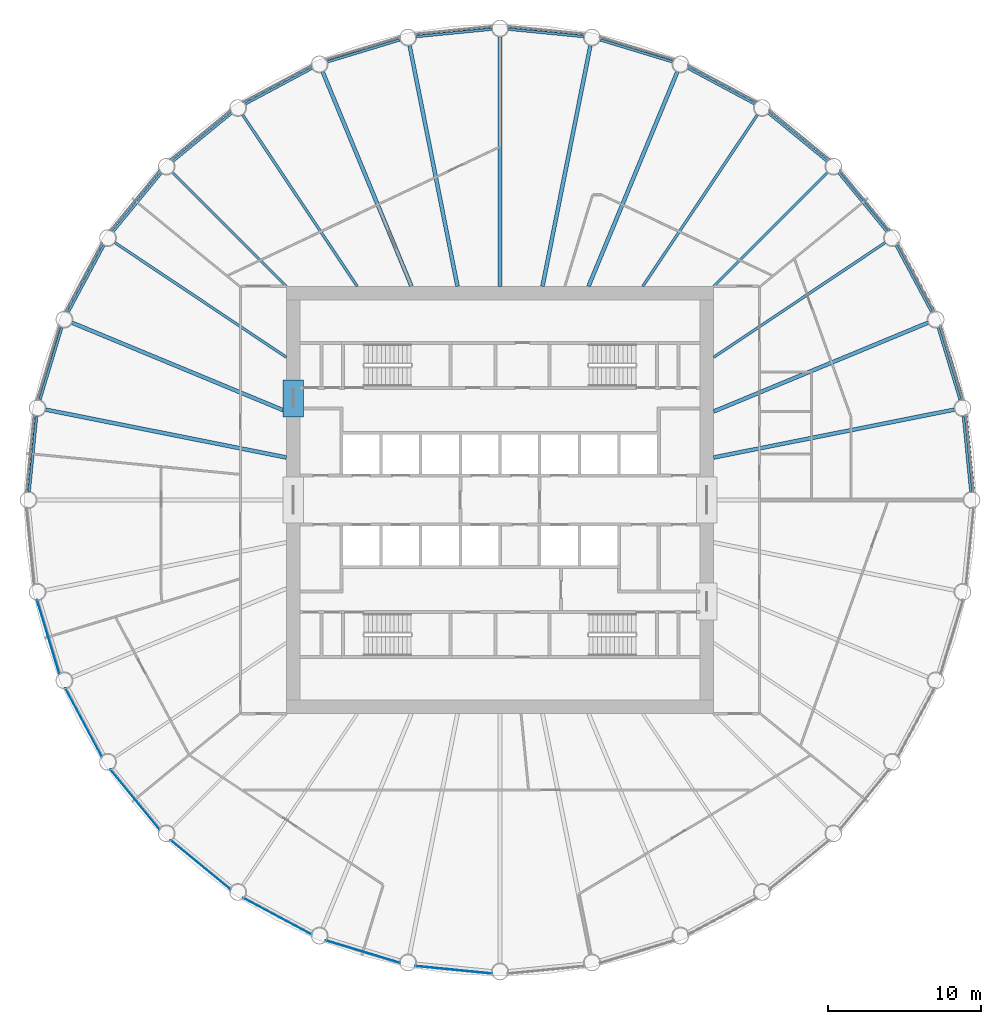
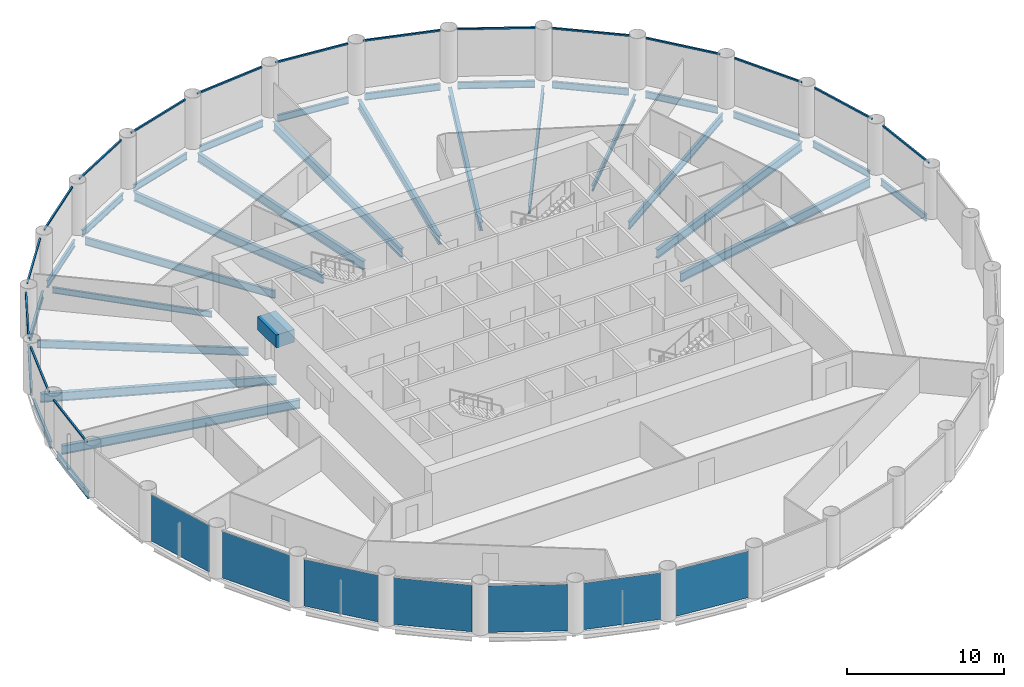
# One storey, part 2 of 8: 32 beams, 16 members, 7 plates, 23 elements without a shape of their own.
"""IFC4 building model written with IfcOpenShell, lengths in metres."""

from ifc_helpers import new_model, si_unit, direction, frame, origin, origin_2d, place, context, subcontext, project, spatial, rectangle, i_section, extrude, material, layer, layer_set, material_profile, profile_set, type_object, element, aggregate, save


model = new_model("IFC4")

# Units and contexts
model_context = context("Model", 3, precision=1e-05, world=origin(), true_north=direction((0.0, 1.0)))
body_context = subcontext(model_context, "Body", "Model", "MODEL_VIEW")
ifc_project = project(units=[si_unit("LENGTHUNIT", "METRE"), si_unit("AREAUNIT", "SQUARE_METRE"), si_unit("VOLUMEUNIT", "CUBIC_METRE"), si_unit("PLANEANGLEUNIT", "RADIAN"), si_unit("MASSUNIT", "GRAM", prefix="KILO")], contexts=[model_context])

# Site, building, storey
site_placement = place(None, origin())
site = spatial("IfcSite", under=ifc_project, at=site_placement, CompositionType="ELEMENT")
building_placement = place(site_placement, origin())
building = spatial("IfcBuilding", under=site, at=building_placement, Name="Corvane Civic Tower", CompositionType="ELEMENT")
storey_placement = place(building_placement, frame((0.0, 0.0, 152.0)))
storey = spatial("IfcBuildingStorey", under=building, at=storey_placement, Name="L35", CompositionType="ELEMENT", Elevation=152.0)

# Beams
ifc_material_1 = material(Name="Concrete C60/75", Category="concrete")
ifc_material_profile_1 = material_profile(ifc_material_1, rectangle(XDim=1.35009765625, YDim=1.0, at=origin_2d()), Name="COUPLING BEAM 1350X1000")
ifc_profile_set_1 = profile_set([ifc_material_profile_1], Name="Concrete C60/75")
beam_type_1 = type_object("IfcBeamType", Name="COUPLING BEAM COUPLING BEAM 1350X1000", PredefinedType="BEAM", material=ifc_profile_set_1)
beam_1_placement = place(storey_placement, frame((-13.550048828125, 5.449951171875, 2.60009765625), z_axis=(0.0, 1.0, 0.0), x_axis=(-1.0, 0.0, 0.0)))
element("IfcBeam", 1, at=beam_1_placement, inside=storey, type_object=beam_type_1, Name="BM-L35-cpl-CW-WN", PredefinedType="BEAM", context=body_context, shape_type="SweptSolid", body=[
    extrude(rectangle(XDim=1.35009765625, YDim=1.0, at=origin_2d()), origin(), (0.0, 0.0, 1.0), 2.400146484375),
])
ifc_material_2 = material(Name="Steel ASTM A992 Gr 50", Category="steel")
ifc_material_profile_2 = material_profile(ifc_material_2, i_section(OverallWidth=0.165771484375, OverallDepth=0.5283203125, WebThickness=0.009765625, FlangeThickness=0.013671875, at=origin_2d()), Name="W21X50")
ifc_profile_set_2 = profile_set([ifc_material_profile_2], Name="Steel ASTM A992 Gr 50")
beam_type_2 = type_object("IfcBeamType", Name="EDGE BEAM W21X50", PredefinedType="BEAM", material=ifc_profile_set_2)
beam_2_placement = place(storey_placement, frame((0.54736328125, 30.845947265625, -0.564208984375), z_axis=(0.995186236294, -0.09800181167, 0.0), x_axis=(0.09800181167, 0.995186236294, 0.0)))
element("IfcBeam", 2, at=beam_2_placement, inside=storey, type_object=beam_type_2, Name="BM-L35-E01", PredefinedType="BEAM", context=body_context, shape_type="SweptSolid", body=[
    extrude(i_section(OverallWidth=0.165771484375, OverallDepth=0.5283203125, WebThickness=0.009765625, FlangeThickness=0.013671875, at=origin_2d()), origin(), (0.0, 0.0, 1.0), 4.95751953125),
])
beam_3_placement = place(storey_placement, frame((6.5546875, 30.146484375, -0.564208984375), z_axis=(0.956944842086, -0.290269821381, 0.0), x_axis=(0.290269821381, 0.956944842086, 0.0)))
element("IfcBeam", 3, at=beam_3_placement, inside=storey, type_object=beam_type_2, Name="BM-L35-E02", PredefinedType="BEAM", context=body_context, shape_type="SweptSolid", body=[
    extrude(i_section(OverallWidth=0.165771484375, OverallDepth=0.5283203125, WebThickness=0.009765625, FlangeThickness=0.013671875, at=origin_2d()), origin(), (0.0, 0.0, 1.0), 4.957275390625),
])
for number, where, z_axis, x_axis, name in (
    (4, (12.31005859375, 28.28857421875, -0.564208984375), (0.881921784846, -0.471395763042, 0.0), (0.471395763042, 0.881921784846, 0.0), "BM-L35-E03"),
    (5, (17.59228515625, 25.343505859375, -0.564208984375), (0.77301516208, -0.634387546532, 0.0), (0.634387546532, 0.77301516208, 0.0), "BM-L35-E04"),
    (6, (22.198486328125, 21.424560546875, -0.564208984375), (0.634387546532, -0.77301516208, 0.0), (0.77301516208, 0.634387546532, 0.0), "BM-L35-E05"),
    (7, (25.95166015625, 16.68212890625, -0.564208984375), (0.471395763042, -0.881921784846, 0.0), (0.881921784846, 0.471395763042, 0.0), "BM-L35-E06"),
):
    element("IfcBeam", number, at=place(storey_placement, frame(where, z_axis=z_axis, x_axis=x_axis)), inside=storey, type_object=beam_type_2, Name=name, PredefinedType="BEAM", context=body_context, shape_type="SweptSolid", body=[
        extrude(i_section(OverallWidth=0.165771484375, OverallDepth=0.5283203125, WebThickness=0.009765625, FlangeThickness=0.013671875, at=origin_2d()), origin(), (0.0, 0.0, 1.0), 4.95751953125),
    ])
beam_4_placement = place(storey_placement, frame((28.70751953125, 11.298583984375, -0.564208984375), z_axis=(0.290269821381, -0.956944842086, 0.0), x_axis=(0.956944842086, 0.290269821381, 0.0)))
element("IfcBeam", 8, at=beam_4_placement, inside=storey, type_object=beam_type_2, Name="BM-L35-E07", PredefinedType="BEAM", context=body_context, shape_type="SweptSolid", body=[
    extrude(i_section(OverallWidth=0.165771484375, OverallDepth=0.5283203125, WebThickness=0.009765625, FlangeThickness=0.013671875, at=origin_2d()), origin(), (0.0, 0.0, 1.0), 4.957275390625),
])
for number, where, z_axis, x_axis, name in (
    (9, (30.360107421875, 5.48095703125, -0.564208984375), (0.09800181167, -0.995186236294, 0.0), (0.995186236294, 0.09800181167, 0.0), "BM-L35-E08"),
    (10, (-30.845947265625, 0.54736328125, -0.564208984375), (0.09800181167, 0.995186236294, 0.0), (-0.995186236294, 0.09800181167, 0.0), "BM-L35-E25"),
):
    element("IfcBeam", number, at=place(storey_placement, frame(where, z_axis=z_axis, x_axis=x_axis)), inside=storey, type_object=beam_type_2, Name=name, PredefinedType="BEAM", context=body_context, shape_type="SweptSolid", body=[
        extrude(i_section(OverallWidth=0.165771484375, OverallDepth=0.5283203125, WebThickness=0.009765625, FlangeThickness=0.013671875, at=origin_2d()), origin(), (0.0, 0.0, 1.0), 4.95751953125),
    ])
beam_5_placement = place(storey_placement, frame((-30.146484375, 6.5546875, -0.564208984375), z_axis=(0.290269821381, 0.956944842086, 0.0), x_axis=(-0.956944842086, 0.290269821381, 0.0)))
element("IfcBeam", 11, at=beam_5_placement, inside=storey, type_object=beam_type_2, Name="BM-L35-E26", PredefinedType="BEAM", context=body_context, shape_type="SweptSolid", body=[
    extrude(i_section(OverallWidth=0.165771484375, OverallDepth=0.5283203125, WebThickness=0.009765625, FlangeThickness=0.013671875, at=origin_2d()), origin(), (0.0, 0.0, 1.0), 4.957275390625),
])
for number, where, z_axis, x_axis, name in (
    (12, (-28.28857421875, 12.31005859375, -0.564208984375), (0.471395763042, 0.881921784846, 0.0), (-0.881921784846, 0.471395763042, 0.0), "BM-L35-E27"),
    (13, (-25.343505859375, 17.59228515625, -0.564208984375), (0.634387546532, 0.77301516208, 0.0), (-0.77301516208, 0.634387546532, 0.0), "BM-L35-E28"),
    (14, (-21.424560546875, 22.198486328125, -0.564208984375), (0.77301516208, 0.634387546532, 0.0), (-0.634387546532, 0.77301516208, 0.0), "BM-L35-E29"),
    (15, (-16.68212890625, 25.95166015625, -0.564208984375), (0.881921784846, 0.471395763042, 0.0), (-0.471395763042, 0.881921784846, 0.0), "BM-L35-E30"),
):
    element("IfcBeam", number, at=place(storey_placement, frame(where, z_axis=z_axis, x_axis=x_axis)), inside=storey, type_object=beam_type_2, Name=name, PredefinedType="BEAM", context=body_context, shape_type="SweptSolid", body=[
        extrude(i_section(OverallWidth=0.165771484375, OverallDepth=0.5283203125, WebThickness=0.009765625, FlangeThickness=0.013671875, at=origin_2d()), origin(), (0.0, 0.0, 1.0), 4.95751953125),
    ])
beam_6_placement = place(storey_placement, frame((-11.298583984375, 28.70751953125, -0.564208984375), z_axis=(0.956944842086, 0.290269821381, 0.0), x_axis=(-0.290269821381, 0.956944842086, 0.0)))
element("IfcBeam", 16, at=beam_6_placement, inside=storey, type_object=beam_type_2, Name="BM-L35-E31", PredefinedType="BEAM", context=body_context, shape_type="SweptSolid", body=[
    extrude(i_section(OverallWidth=0.165771484375, OverallDepth=0.5283203125, WebThickness=0.009765625, FlangeThickness=0.013671875, at=origin_2d()), origin(), (0.0, 0.0, 1.0), 4.957275390625),
])
beam_7_placement = place(storey_placement, frame((-5.48095703125, 30.360107421875, -0.564208984375), z_axis=(0.995186236294, 0.09800181167, 0.0), x_axis=(-0.09800181167, 0.995186236294, 0.0)))
element("IfcBeam", 17, at=beam_7_placement, inside=storey, type_object=beam_type_2, Name="BM-L35-E32", PredefinedType="BEAM", context=body_context, shape_type="SweptSolid", body=[
    extrude(i_section(OverallWidth=0.165771484375, OverallDepth=0.5283203125, WebThickness=0.009765625, FlangeThickness=0.013671875, at=origin_2d()), origin(), (0.0, 0.0, 1.0), 4.95751953125),
])
ifc_material_3 = material(Name="Steel ASTM A992 Gr 50", Category="steel")
ifc_material_profile_3 = material_profile(ifc_material_3, i_section(OverallWidth=0.15283203125, OverallDepth=0.45458984375, WebThickness=0.008056640625, FlangeThickness=0.013427734375, at=origin_2d()), Name="W18X40")
ifc_profile_set_3 = profile_set([ifc_material_profile_3], Name="Steel ASTM A992 Gr 50")
beam_type_3 = type_object("IfcBeamType", Name="FLOOR GIRDER W18X40", PredefinedType="BEAM", material=ifc_profile_set_3)
for number, where, z_axis, x_axis, name in (
    (18, (14.0, 14.0, -0.52734375), (0.707106781187, 0.707106781187, 0.0), (-0.707106781187, 0.707106781187, 0.0), "BM-L35-G05"),
    (19, (-14.0, 14.0, -0.52734375), (-0.707106781187, 0.707106781187, 0.0), (-0.707106781187, -0.707106781187, 0.0), "BM-L35-G29"),
):
    element("IfcBeam", number, at=place(storey_placement, frame(where, z_axis=z_axis, x_axis=x_axis)), inside=storey, type_object=beam_type_3, Name=name, PredefinedType="BEAM", context=body_context, shape_type="SweptSolid", body=[
        extrude(i_section(OverallWidth=0.15283203125, OverallDepth=0.45458984375, WebThickness=0.008056640625, FlangeThickness=0.013427734375, at=origin_2d()), origin(), (0.0, 0.0, 1.0), 10.551025390625),
    ])
ifc_material_4 = material(Name="Steel ASTM A992 Gr 50", Category="steel")
ifc_material_profile_4 = material_profile(ifc_material_4, i_section(OverallWidth=0.177978515625, OverallDepth=0.599365234375, WebThickness=0.010009765625, FlangeThickness=0.012939453125, at=origin_2d()), Name="W24X55")
ifc_profile_set_4 = profile_set([ifc_material_profile_4], Name="Steel ASTM A992 Gr 50")
beam_type_4 = type_object("IfcBeamType", Name="FLOOR GIRDER W24X55", PredefinedType="BEAM", material=ifc_profile_set_4)
for number, where, z_axis, x_axis, name in (
    (20, (9.3544921875, 14.0, -0.599609375), (0.555571323015, 0.83146888399, 0.0), (-0.83146888399, 0.555571323015, 0.0), "BM-L35-G04"),
    (21, (14.0, 9.3544921875, -0.599609375), (0.83146888399, 0.555571323015, 0.0), (-0.555571323015, 0.83146888399, 0.0), "BM-L35-G06"),
    (22, (-14.0, 9.3544921875, -0.599609375), (-0.83146888399, 0.555571323015, 0.0), (-0.555571323015, -0.83146888399, 0.0), "BM-L35-G28"),
    (23, (-9.3544921875, 14.0, -0.599609375), (-0.555571323015, 0.83146888399, 0.0), (-0.83146888399, -0.555571323015, 0.0), "BM-L35-G30"),
):
    element("IfcBeam", number, at=place(storey_placement, frame(where, z_axis=z_axis, x_axis=x_axis)), inside=storey, type_object=beam_type_4, Name=name, PredefinedType="BEAM", context=body_context, shape_type="SweptSolid", body=[
        extrude(i_section(OverallWidth=0.177978515625, OverallDepth=0.599365234375, WebThickness=0.010009765625, FlangeThickness=0.012939453125, at=origin_2d()), origin(), (0.0, 0.0, 1.0), 13.512451171875),
    ])
ifc_material_5 = material(Name="Steel ASTM A992 Gr 50", Category="steel")
ifc_material_profile_5 = material_profile(ifc_material_5, i_section(OverallWidth=0.25390625, OverallDepth=0.67822265625, WebThickness=0.01171875, FlangeThickness=0.016357421875, at=origin_2d()), Name="W27X84")
ifc_profile_set_5 = profile_set([ifc_material_profile_5], Name="Steel ASTM A992 Gr 50")
beam_type_5 = type_object("IfcBeamType", Name="FLOOR GIRDER W27X84", PredefinedType="BEAM", material=ifc_profile_set_5)
beam_8_placement = place(storey_placement, frame((0.0, 14.0, -0.63916015625), z_axis=(0.0, 1.0, 0.0), x_axis=(-1.0, 0.0, 0.0)))
element("IfcBeam", 24, at=beam_8_placement, inside=storey, type_object=beam_type_5, Name="BM-L35-G01", PredefinedType="BEAM", context=body_context, shape_type="SweptSolid", body=[
    extrude(i_section(OverallWidth=0.25390625, OverallDepth=0.67822265625, WebThickness=0.01171875, FlangeThickness=0.016357421875, at=origin_2d()), origin(), (0.0, 0.0, 1.0), 16.35009765625),
])
beam_9_placement = place(storey_placement, frame((2.78466796875, 14.0, -0.63916015625), z_axis=(0.195090912248, 0.980785162999, 0.0), x_axis=(-0.980785162999, 0.195090912248, 0.0)))
element("IfcBeam", 25, at=beam_9_placement, inside=storey, type_object=beam_type_5, Name="BM-L35-G02", PredefinedType="BEAM", context=body_context, shape_type="SweptSolid", body=[
    extrude(i_section(OverallWidth=0.25390625, OverallDepth=0.67822265625, WebThickness=0.01171875, FlangeThickness=0.016357421875, at=origin_2d()), origin(), (0.0, 0.0, 1.0), 16.07568359375),
])
for number, where, z_axis, x_axis, name in (
    (26, (5.799072265625, 14.0, -0.63916015625), (0.38268097323, 0.923880551114, 0.0), (-0.923880551114, 0.38268097323, 0.0), "BM-L35-G03"),
    (27, (14.0, 5.799072265625, -0.63916015625), (0.923880551114, 0.38268097323, 0.0), (-0.38268097323, 0.923880551114, 0.0), "BM-L35-G07"),
):
    element("IfcBeam", number, at=place(storey_placement, frame(where, z_axis=z_axis, x_axis=x_axis)), inside=storey, type_object=beam_type_5, Name=name, PredefinedType="BEAM", context=body_context, shape_type="SweptSolid", body=[
        extrude(i_section(OverallWidth=0.25390625, OverallDepth=0.67822265625, WebThickness=0.01171875, FlangeThickness=0.016357421875, at=origin_2d()), origin(), (0.0, 0.0, 1.0), 15.196533203125),
    ])
for number, where, z_axis, x_axis, name in (
    (28, (14.0, 2.78466796875, -0.63916015625), (0.980785162999, 0.195090912248, 0.0), (-0.195090912248, 0.980785162999, 0.0), "BM-L35-G08"),
    (29, (-14.0, 2.78466796875, -0.63916015625), (-0.980785162999, 0.195090912248, 0.0), (-0.195090912248, -0.980785162999, 0.0), "BM-L35-G26"),
):
    element("IfcBeam", number, at=place(storey_placement, frame(where, z_axis=z_axis, x_axis=x_axis)), inside=storey, type_object=beam_type_5, Name=name, PredefinedType="BEAM", context=body_context, shape_type="SweptSolid", body=[
        extrude(i_section(OverallWidth=0.25390625, OverallDepth=0.67822265625, WebThickness=0.01171875, FlangeThickness=0.016357421875, at=origin_2d()), origin(), (0.0, 0.0, 1.0), 16.07568359375),
    ])
for number, where, z_axis, x_axis, name in (
    (30, (-14.0, 5.799072265625, -0.63916015625), (-0.923880551114, 0.38268097323, 0.0), (-0.38268097323, -0.923880551114, 0.0), "BM-L35-G27"),
    (31, (-5.799072265625, 14.0, -0.63916015625), (-0.38268097323, 0.923880551114, 0.0), (-0.923880551114, -0.38268097323, 0.0), "BM-L35-G31"),
):
    element("IfcBeam", number, at=place(storey_placement, frame(where, z_axis=z_axis, x_axis=x_axis)), inside=storey, type_object=beam_type_5, Name=name, PredefinedType="BEAM", context=body_context, shape_type="SweptSolid", body=[
        extrude(i_section(OverallWidth=0.25390625, OverallDepth=0.67822265625, WebThickness=0.01171875, FlangeThickness=0.016357421875, at=origin_2d()), origin(), (0.0, 0.0, 1.0), 15.196533203125),
    ])
beam_10_placement = place(storey_placement, frame((-2.78466796875, 14.0, -0.63916015625), z_axis=(-0.195090912248, 0.980785162999, 0.0), x_axis=(-0.980785162999, -0.195090912248, 0.0)))
element("IfcBeam", 32, at=beam_10_placement, inside=storey, type_object=beam_type_5, Name="BM-L35-G32", PredefinedType="BEAM", context=body_context, shape_type="SweptSolid", body=[
    extrude(i_section(OverallWidth=0.25390625, OverallDepth=0.67822265625, WebThickness=0.01171875, FlangeThickness=0.016357421875, at=origin_2d()), origin(), (0.0, 0.0, 1.0), 16.07568359375),
])

# Curtain wall, member
ifc_material_6 = material(Name="Anodised aluminium bronze", Category="aluminium")
curtain_wall_type = type_object("IfcCurtainWallType", Name="TOWER CW-T2 STICK CURTAIN WALL", PredefinedType="NOTDEFINED", material=ifc_material_6)
curtain_wall_1_placement = place(storey_placement, origin())
curtain_wall_1 = element("IfcCurtainWall", 33, at=curtain_wall_1_placement, inside=storey, type_object=curtain_wall_type, Name="Curtain wall CW-T2 L35 bay 01", PredefinedType="NOTDEFINED")
ifc_material_7 = material(Name="Anodised aluminium bronze", Category="aluminium")
ifc_material_profile_6 = material_profile(ifc_material_7, rectangle(XDim=0.1201171875, YDim=0.1201171875, at=origin_2d()), Name="TOWER CW-T2 TRANSOM 120x120")
ifc_profile_set_6 = profile_set([ifc_material_profile_6], Name="Anodised aluminium bronze")
member_type = type_object("IfcMemberType", Name="TOWER CW-T2 TRANSOM 120x120", PredefinedType="USERDEFINED", material=ifc_profile_set_6)
member_1_placement = place(storey_placement, frame((0.505126953125, 31.0302734375, 3.68994140625), z_axis=(0.995187423416, -0.097989755963, 0.0), x_axis=(0.097989755963, 0.995187423416, 0.0)))
member_1 = element("IfcMember", 34, at=member_1_placement, type_object=member_type, Name="Transom CW-T2 L35 01.1", ObjectType="TRANSOM", PredefinedType="USERDEFINED", context=body_context, shape_type="SweptSolid", body=[
    extrude(rectangle(XDim=0.1201171875, YDim=0.1201171875, at=origin_2d()), origin(), (0.0, 0.0, 1.0), 5.07763671875),
])
aggregate(curtain_wall_1, [member_1])

curtain_wall_2_placement = place(storey_placement, origin())
curtain_wall_2 = element("IfcCurtainWall", 35, at=curtain_wall_2_placement, inside=storey, type_object=curtain_wall_type, Name="Curtain wall CW-T2 L35 bay 02", PredefinedType="NOTDEFINED")
member_2_placement = place(storey_placement, frame((6.54931640625, 30.33544921875, 3.68994140625), z_axis=(0.956939031389, -0.290288977061, 0.0), x_axis=(0.290288977061, 0.956939031389, 0.0)))
member_2 = element("IfcMember", 36, at=member_2_placement, type_object=member_type, Name="Transom CW-T2 L35 02.1", ObjectType="TRANSOM", PredefinedType="USERDEFINED", context=body_context, shape_type="SweptSolid", body=[
    extrude(rectangle(XDim=0.1201171875, YDim=0.1201171875, at=origin_2d()), origin(), (0.0, 0.0, 1.0), 5.077392578125),
])
aggregate(curtain_wall_2, [member_2])

curtain_wall_3_placement = place(storey_placement, origin())
curtain_wall_3 = element("IfcCurtainWall", 37, at=curtain_wall_3_placement, inside=storey, type_object=curtain_wall_type, Name="Curtain wall CW-T2 L35 bay 03", PredefinedType="NOTDEFINED")
member_3_placement = place(storey_placement, frame((12.341552734375, 28.474853515625, 3.68994140625), z_axis=(0.881921329426, -0.471396615074, 0.0), x_axis=(0.471396615074, 0.881921329426, 0.0)))
member_3 = element("IfcMember", 38, at=member_3_placement, type_object=member_type, Name="Transom CW-T2 L35 03.1", ObjectType="TRANSOM", PredefinedType="USERDEFINED", context=body_context, shape_type="SweptSolid", body=[
    extrude(rectangle(XDim=0.1201171875, YDim=0.1201171875, at=origin_2d()), origin(), (0.0, 0.0, 1.0), 5.07763671875),
])
aggregate(curtain_wall_3, [member_3])

curtain_wall_4_placement = place(storey_placement, origin())
curtain_wall_4 = element("IfcCurtainWall", 39, at=curtain_wall_4_placement, inside=storey, type_object=curtain_wall_type, Name="Curtain wall CW-T2 L35 bay 04", PredefinedType="NOTDEFINED")
member_4_placement = place(storey_placement, frame((17.65966796875, 25.519775390625, 3.68994140625), z_axis=(0.773015929719, -0.634386611146, 0.0), x_axis=(0.634386611146, 0.773015929719, 0.0)))
member_4 = element("IfcMember", 40, at=member_4_placement, type_object=member_type, Name="Transom CW-T2 L35 04.1", ObjectType="TRANSOM", PredefinedType="USERDEFINED", context=body_context, shape_type="SweptSolid", body=[
    extrude(rectangle(XDim=0.1201171875, YDim=0.1201171875, at=origin_2d()), origin(), (0.0, 0.0, 1.0), 5.0771484375),
])
aggregate(curtain_wall_4, [member_4])

curtain_wall_5_placement = place(storey_placement, origin())
curtain_wall_5 = element("IfcCurtainWall", 41, at=curtain_wall_5_placement, inside=storey, type_object=curtain_wall_type, Name="Curtain wall CW-T2 L35 bay 05", PredefinedType="NOTDEFINED")
member_5_placement = place(storey_placement, frame((22.298828125, 21.58447265625, 3.68994140625), z_axis=(0.634386611146, -0.773015929719, 0.0), x_axis=(0.773015929719, 0.634386611146, 0.0)))
member_5 = element("IfcMember", 42, at=member_5_placement, type_object=member_type, Name="Transom CW-T2 L35 05.1", ObjectType="TRANSOM", PredefinedType="USERDEFINED", context=body_context, shape_type="SweptSolid", body=[
    extrude(rectangle(XDim=0.1201171875, YDim=0.1201171875, at=origin_2d()), origin(), (0.0, 0.0, 1.0), 5.0771484375),
])
aggregate(curtain_wall_5, [member_5])

curtain_wall_6_placement = place(storey_placement, origin())
curtain_wall_6 = element("IfcCurtainWall", 43, at=curtain_wall_6_placement, inside=storey, type_object=curtain_wall_type, Name="Curtain wall CW-T2 L35 bay 06", PredefinedType="NOTDEFINED")
member_6_placement = place(storey_placement, frame((26.081298828125, 16.819580078125, 3.68994140625), z_axis=(0.471396615074, -0.881921329426, 0.0), x_axis=(0.881921329426, 0.471396615074, 0.0)))
member_6 = element("IfcMember", 44, at=member_6_placement, type_object=member_type, Name="Transom CW-T2 L35 06.1", ObjectType="TRANSOM", PredefinedType="USERDEFINED", context=body_context, shape_type="SweptSolid", body=[
    extrude(rectangle(XDim=0.1201171875, YDim=0.1201171875, at=origin_2d()), origin(), (0.0, 0.0, 1.0), 5.07763671875),
])
aggregate(curtain_wall_6, [member_6])

curtain_wall_7_placement = place(storey_placement, origin())
curtain_wall_7 = element("IfcCurtainWall", 45, at=curtain_wall_7_placement, inside=storey, type_object=curtain_wall_type, Name="Curtain wall CW-T2 L35 bay 07", PredefinedType="NOTDEFINED")
member_7_placement = place(storey_placement, frame((28.861572265625, 11.407958984375, 3.68994140625), z_axis=(0.290288977061, -0.956939031389, 0.0), x_axis=(0.956939031389, 0.290288977061, 0.0)))
member_7 = element("IfcMember", 46, at=member_7_placement, type_object=member_type, Name="Transom CW-T2 L35 07.1", ObjectType="TRANSOM", PredefinedType="USERDEFINED", context=body_context, shape_type="SweptSolid", body=[
    extrude(rectangle(XDim=0.1201171875, YDim=0.1201171875, at=origin_2d()), origin(), (0.0, 0.0, 1.0), 5.077392578125),
])
aggregate(curtain_wall_7, [member_7])

curtain_wall_8_placement = place(storey_placement, origin())
curtain_wall_8 = element("IfcCurtainWall", 47, at=curtain_wall_8_placement, inside=storey, type_object=curtain_wall_type, Name="Curtain wall CW-T2 L35 bay 08", PredefinedType="NOTDEFINED")
member_8_placement = place(storey_placement, frame((30.53271484375, 5.558349609375, 3.68994140625), z_axis=(0.097989755963, -0.995187423416, 0.0), x_axis=(0.995187423416, 0.097989755963, 0.0)))
member_8 = element("IfcMember", 48, at=member_8_placement, type_object=member_type, Name="Transom CW-T2 L35 08.1", ObjectType="TRANSOM", PredefinedType="USERDEFINED", context=body_context, shape_type="SweptSolid", body=[
    extrude(rectangle(XDim=0.1201171875, YDim=0.1201171875, at=origin_2d()), origin(), (0.0, 0.0, 1.0), 5.07763671875),
])
aggregate(curtain_wall_8, [member_8])

curtain_wall_9_placement = place(storey_placement, origin())
curtain_wall_9 = element("IfcCurtainWall", 49, at=curtain_wall_9_placement, inside=storey, type_object=curtain_wall_type, Name="Curtain wall CW-T2 L35 bay 25", PredefinedType="NOTDEFINED")
member_9_placement = place(storey_placement, frame((-31.0302734375, 0.505126953125, 3.68994140625), z_axis=(0.097989755963, 0.995187423416, 0.0), x_axis=(-0.995187423416, 0.097989755963, 0.0)))
member_9 = element("IfcMember", 50, at=member_9_placement, type_object=member_type, Name="Transom CW-T2 L35 25.1", ObjectType="TRANSOM", PredefinedType="USERDEFINED", context=body_context, shape_type="SweptSolid", body=[
    extrude(rectangle(XDim=0.1201171875, YDim=0.1201171875, at=origin_2d()), origin(), (0.0, 0.0, 1.0), 5.07763671875),
])
aggregate(curtain_wall_9, [member_9])

curtain_wall_10_placement = place(storey_placement, origin())
curtain_wall_10 = element("IfcCurtainWall", 51, at=curtain_wall_10_placement, inside=storey, type_object=curtain_wall_type, Name="Curtain wall CW-T2 L35 bay 26", PredefinedType="NOTDEFINED")
member_10_placement = place(storey_placement, frame((-30.33544921875, 6.54931640625, 3.68994140625), z_axis=(0.290288977061, 0.956939031389, 0.0), x_axis=(-0.956939031389, 0.290288977061, 0.0)))
member_10 = element("IfcMember", 52, at=member_10_placement, type_object=member_type, Name="Transom CW-T2 L35 26.1", ObjectType="TRANSOM", PredefinedType="USERDEFINED", context=body_context, shape_type="SweptSolid", body=[
    extrude(rectangle(XDim=0.1201171875, YDim=0.1201171875, at=origin_2d()), origin(), (0.0, 0.0, 1.0), 5.077392578125),
])
aggregate(curtain_wall_10, [member_10])

curtain_wall_11_placement = place(storey_placement, origin())
curtain_wall_11 = element("IfcCurtainWall", 53, at=curtain_wall_11_placement, inside=storey, type_object=curtain_wall_type, Name="Curtain wall CW-T2 L35 bay 27", PredefinedType="NOTDEFINED")
member_11_placement = place(storey_placement, frame((-28.474853515625, 12.341552734375, 3.68994140625), z_axis=(0.471396615074, 0.881921329426, 0.0), x_axis=(-0.881921329426, 0.471396615074, 0.0)))
member_11 = element("IfcMember", 54, at=member_11_placement, type_object=member_type, Name="Transom CW-T2 L35 27.1", ObjectType="TRANSOM", PredefinedType="USERDEFINED", context=body_context, shape_type="SweptSolid", body=[
    extrude(rectangle(XDim=0.1201171875, YDim=0.1201171875, at=origin_2d()), origin(), (0.0, 0.0, 1.0), 5.07763671875),
])
aggregate(curtain_wall_11, [member_11])

curtain_wall_12_placement = place(storey_placement, origin())
curtain_wall_12 = element("IfcCurtainWall", 55, at=curtain_wall_12_placement, inside=storey, type_object=curtain_wall_type, Name="Curtain wall CW-T2 L35 bay 28", PredefinedType="NOTDEFINED")
member_12_placement = place(storey_placement, frame((-25.519775390625, 17.65966796875, 3.68994140625), z_axis=(0.634386611146, 0.773015929719, 0.0), x_axis=(-0.773015929719, 0.634386611146, 0.0)))
member_12 = element("IfcMember", 56, at=member_12_placement, type_object=member_type, Name="Transom CW-T2 L35 28.1", ObjectType="TRANSOM", PredefinedType="USERDEFINED", context=body_context, shape_type="SweptSolid", body=[
    extrude(rectangle(XDim=0.1201171875, YDim=0.1201171875, at=origin_2d()), origin(), (0.0, 0.0, 1.0), 5.0771484375),
])
aggregate(curtain_wall_12, [member_12])

curtain_wall_13_placement = place(storey_placement, origin())
curtain_wall_13 = element("IfcCurtainWall", 57, at=curtain_wall_13_placement, inside=storey, type_object=curtain_wall_type, Name="Curtain wall CW-T2 L35 bay 29", PredefinedType="NOTDEFINED")
member_13_placement = place(storey_placement, frame((-21.58447265625, 22.298828125, 3.68994140625), z_axis=(0.773015929719, 0.634386611146, 0.0), x_axis=(-0.634386611146, 0.773015929719, 0.0)))
member_13 = element("IfcMember", 58, at=member_13_placement, type_object=member_type, Name="Transom CW-T2 L35 29.1", ObjectType="TRANSOM", PredefinedType="USERDEFINED", context=body_context, shape_type="SweptSolid", body=[
    extrude(rectangle(XDim=0.1201171875, YDim=0.1201171875, at=origin_2d()), origin(), (0.0, 0.0, 1.0), 5.0771484375),
])
aggregate(curtain_wall_13, [member_13])

curtain_wall_14_placement = place(storey_placement, origin())
curtain_wall_14 = element("IfcCurtainWall", 59, at=curtain_wall_14_placement, inside=storey, type_object=curtain_wall_type, Name="Curtain wall CW-T2 L35 bay 30", PredefinedType="NOTDEFINED")
member_14_placement = place(storey_placement, frame((-16.819580078125, 26.081298828125, 3.68994140625), z_axis=(0.881921329426, 0.471396615074, 0.0), x_axis=(-0.471396615074, 0.881921329426, 0.0)))
member_14 = element("IfcMember", 60, at=member_14_placement, type_object=member_type, Name="Transom CW-T2 L35 30.1", ObjectType="TRANSOM", PredefinedType="USERDEFINED", context=body_context, shape_type="SweptSolid", body=[
    extrude(rectangle(XDim=0.1201171875, YDim=0.1201171875, at=origin_2d()), origin(), (0.0, 0.0, 1.0), 5.07763671875),
])
aggregate(curtain_wall_14, [member_14])

curtain_wall_15_placement = place(storey_placement, origin())
curtain_wall_15 = element("IfcCurtainWall", 61, at=curtain_wall_15_placement, inside=storey, type_object=curtain_wall_type, Name="Curtain wall CW-T2 L35 bay 31", PredefinedType="NOTDEFINED")
member_15_placement = place(storey_placement, frame((-11.407958984375, 28.861572265625, 3.68994140625), z_axis=(0.956939031389, 0.290288977061, 0.0), x_axis=(-0.290288977061, 0.956939031389, 0.0)))
member_15 = element("IfcMember", 62, at=member_15_placement, type_object=member_type, Name="Transom CW-T2 L35 31.1", ObjectType="TRANSOM", PredefinedType="USERDEFINED", context=body_context, shape_type="SweptSolid", body=[
    extrude(rectangle(XDim=0.1201171875, YDim=0.1201171875, at=origin_2d()), origin(), (0.0, 0.0, 1.0), 5.077392578125),
])
aggregate(curtain_wall_15, [member_15])

curtain_wall_16_placement = place(storey_placement, origin())
curtain_wall_16 = element("IfcCurtainWall", 63, at=curtain_wall_16_placement, inside=storey, type_object=curtain_wall_type, Name="Curtain wall CW-T2 L35 bay 32", PredefinedType="NOTDEFINED")
member_16_placement = place(storey_placement, frame((-5.558349609375, 30.53271484375, 3.68994140625), z_axis=(0.995187423416, 0.097989755963, 0.0), x_axis=(-0.097989755963, 0.995187423416, 0.0)))
member_16 = element("IfcMember", 64, at=member_16_placement, type_object=member_type, Name="Transom CW-T2 L35 32.1", ObjectType="TRANSOM", PredefinedType="USERDEFINED", context=body_context, shape_type="SweptSolid", body=[
    extrude(rectangle(XDim=0.1201171875, YDim=0.1201171875, at=origin_2d()), origin(), (0.0, 0.0, 1.0), 5.07763671875),
])
aggregate(curtain_wall_16, [member_16])

# Curtain wall, plate
curtain_wall_17_placement = place(storey_placement, origin())
curtain_wall_17 = element("IfcCurtainWall", 65, at=curtain_wall_17_placement, inside=storey, type_object=curtain_wall_type, Name="Curtain wall CW-T2 L35 bay 17", PredefinedType="NOTDEFINED")
ifc_material_8 = material(Name="Tinted glass", Category="glass")
ifc_layer = layer(ifc_material_8, 0.031982421875)
ifc_layer_set = layer_set([ifc_layer], Name="Tinted glass")
plate_type = type_object("IfcPlateType", Name="TOWER CW-T2 PANEL IGU32", PredefinedType="CURTAIN_PANEL", material=ifc_layer_set)
plate_1_placement = place(storey_placement, frame((-3.03173828125, -30.781494140625, 0.0), z_axis=(0.0, 0.0, 1.0), x_axis=(-0.995185244531, 0.098011882274, 0.0)))
plate_1 = element("IfcPlate", 66, at=plate_1_placement, type_object=plate_type, Name="Glass panel CW-T2 L35 17.1", PredefinedType="CURTAIN_PANEL", context=body_context, shape_type="SweptSolid", body=[
    extrude(rectangle(XDim=5.07763671875, YDim=0.031982421875, at=origin_2d()), origin(), (0.0, 0.0, 1.0), 3.6298828125),
])
aggregate(curtain_wall_17, [plate_1])

curtain_wall_18_placement = place(storey_placement, origin())
curtain_wall_18 = element("IfcCurtainWall", 67, at=curtain_wall_18_placement, inside=storey, type_object=curtain_wall_type, Name="Curtain wall CW-T2 L35 bay 18", PredefinedType="NOTDEFINED")
plate_2_placement = place(storey_placement, frame((-8.978515625, -29.5986328125, 0.0), z_axis=(0.0, 0.0, 1.0), x_axis=(-0.956931677007, 0.290313219714, 0.0)))
plate_2 = element("IfcPlate", 68, at=plate_2_placement, type_object=plate_type, Name="Glass panel CW-T2 L35 18.1", PredefinedType="CURTAIN_PANEL", context=body_context, shape_type="SweptSolid", body=[
    extrude(rectangle(XDim=5.077392578125, YDim=0.031982421875, at=origin_2d()), origin(), (0.0, 0.0, 1.0), 3.6298828125),
])
aggregate(curtain_wall_18, [plate_2])

curtain_wall_19_placement = place(storey_placement, origin())
curtain_wall_19 = element("IfcCurtainWall", 69, at=curtain_wall_19_placement, inside=storey, type_object=curtain_wall_type, Name="Curtain wall CW-T2 L35 bay 19", PredefinedType="NOTDEFINED")
plate_3_placement = place(storey_placement, frame((-14.58056640625, -27.278076171875, 0.0), z_axis=(0.0, 0.0, 1.0), x_axis=(-0.881922190434, 0.471395004238, 0.0)))
plate_3 = element("IfcPlate", 70, at=plate_3_placement, type_object=plate_type, Name="Glass panel CW-T2 L35 19.1", PredefinedType="CURTAIN_PANEL", context=body_context, shape_type="SweptSolid", body=[
    extrude(rectangle(XDim=5.077392578125, YDim=0.031982421875, at=origin_2d()), origin(), (0.0, 0.0, 1.0), 3.6298828125),
])
aggregate(curtain_wall_19, [plate_3])

curtain_wall_20_placement = place(storey_placement, origin())
curtain_wall_20 = element("IfcCurtainWall", 71, at=curtain_wall_20_placement, inside=storey, type_object=curtain_wall_type, Name="Curtain wall CW-T2 L35 bay 20", PredefinedType="NOTDEFINED")
plate_4_placement = place(storey_placement, frame((-19.6220703125, -23.909423828125, 0.0), z_axis=(0.0, 0.0, 1.0), x_axis=(-0.773004844196, 0.634400118891, 0.0)))
plate_4 = element("IfcPlate", 72, at=plate_4_placement, type_object=plate_type, Name="Glass panel CW-T2 L35 20.1", PredefinedType="CURTAIN_PANEL", context=body_context, shape_type="SweptSolid", body=[
    extrude(rectangle(XDim=5.0771484375, YDim=0.031982421875, at=origin_2d()), origin(), (0.0, 0.0, 1.0), 3.6298828125),
])
aggregate(curtain_wall_20, [plate_4])

curtain_wall_21_placement = place(storey_placement, origin())
curtain_wall_21 = element("IfcCurtainWall", 73, at=curtain_wall_21_placement, inside=storey, type_object=curtain_wall_type, Name="Curtain wall CW-T2 L35 bay 21", PredefinedType="NOTDEFINED")
plate_5_placement = place(storey_placement, frame((-23.909423828125, -19.6220703125, 0.0), z_axis=(0.0, 0.0, 1.0), x_axis=(-0.634400118891, 0.773004844196, 0.0)))
plate_5 = element("IfcPlate", 74, at=plate_5_placement, type_object=plate_type, Name="Glass panel CW-T2 L35 21.1", PredefinedType="CURTAIN_PANEL", context=body_context, shape_type="SweptSolid", body=[
    extrude(rectangle(XDim=5.0771484375, YDim=0.031982421875, at=origin_2d()), origin(), (0.0, 0.0, 1.0), 3.6298828125),
])
aggregate(curtain_wall_21, [plate_5])

curtain_wall_22_placement = place(storey_placement, origin())
curtain_wall_22 = element("IfcCurtainWall", 75, at=curtain_wall_22_placement, inside=storey, type_object=curtain_wall_type, Name="Curtain wall CW-T2 L35 bay 22", PredefinedType="NOTDEFINED")
plate_6_placement = place(storey_placement, frame((-27.278076171875, -14.58056640625, 0.0), z_axis=(0.0, 0.0, 1.0), x_axis=(-0.471395004238, 0.881922190434, 0.0)))
plate_6 = element("IfcPlate", 76, at=plate_6_placement, type_object=plate_type, Name="Glass panel CW-T2 L35 22.1", PredefinedType="CURTAIN_PANEL", context=body_context, shape_type="SweptSolid", body=[
    extrude(rectangle(XDim=5.077392578125, YDim=0.031982421875, at=origin_2d()), origin(), (0.0, 0.0, 1.0), 3.6298828125),
])
aggregate(curtain_wall_22, [plate_6])

curtain_wall_23_placement = place(storey_placement, origin())
curtain_wall_23 = element("IfcCurtainWall", 77, at=curtain_wall_23_placement, inside=storey, type_object=curtain_wall_type, Name="Curtain wall CW-T2 L35 bay 23", PredefinedType="NOTDEFINED")
plate_7_placement = place(storey_placement, frame((-29.5986328125, -8.978515625, 0.0), z_axis=(0.0, 0.0, 1.0), x_axis=(-0.290313219714, 0.956931677007, 0.0)))
plate_7 = element("IfcPlate", 78, at=plate_7_placement, type_object=plate_type, Name="Glass panel CW-T2 L35 23.1", PredefinedType="CURTAIN_PANEL", context=body_context, shape_type="SweptSolid", body=[
    extrude(rectangle(XDim=5.077392578125, YDim=0.031982421875, at=origin_2d()), origin(), (0.0, 0.0, 1.0), 3.6298828125),
])
aggregate(curtain_wall_23, [plate_7])

save(model, "model.ifc")
